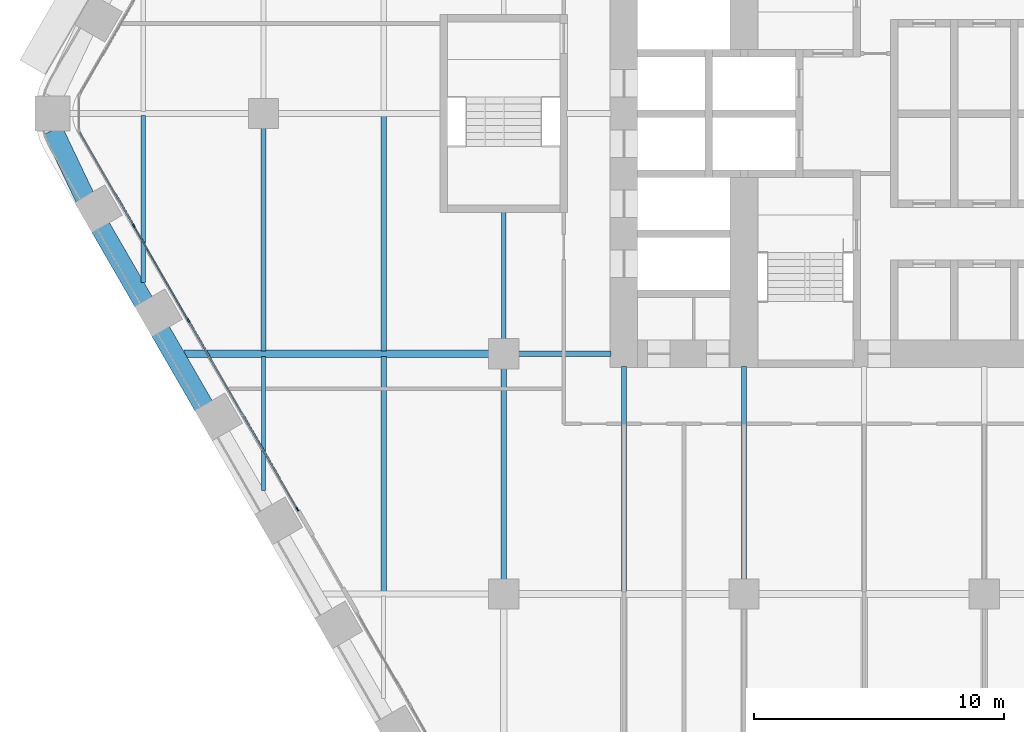
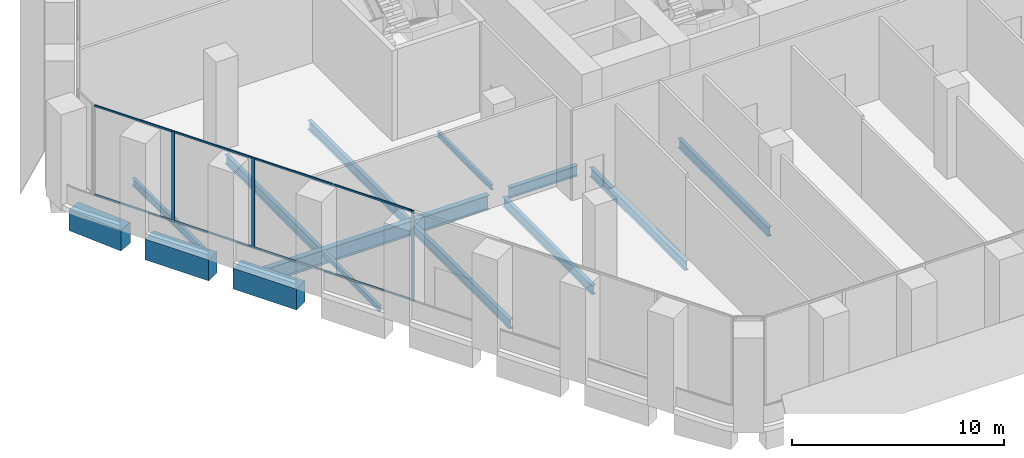
# One storey, part 3 of 27: 14 beams, 11 members, 1 element without a shape of its own.
"""IFC4 building model written with IfcOpenShell, lengths in metres."""

from ifc_helpers import new_model, si_unit, direction, frame, origin, origin_2d, place, context, subcontext, project, spatial, rectangle, i_section, extrude, material, material_profile, profile_set, type_object, element, aggregate, save


model = new_model("IFC4")

# Units and contexts
model_context = context("Model", 3, precision=1e-05, world=origin(), true_north=direction((0.0, 1.0)))
body_context = subcontext(model_context, "Body", "Model", "MODEL_VIEW")
ifc_project = project(units=[si_unit("LENGTHUNIT", "METRE"), si_unit("AREAUNIT", "SQUARE_METRE"), si_unit("VOLUMEUNIT", "CUBIC_METRE"), si_unit("PLANEANGLEUNIT", "RADIAN"), si_unit("MASSUNIT", "GRAM", prefix="KILO")], contexts=[model_context])

# Site, building, storey
site_placement = place(None, origin())
site = spatial("IfcSite", under=ifc_project, at=site_placement, CompositionType="ELEMENT")
building_placement = place(site_placement, origin())
building = spatial("IfcBuilding", under=site, at=building_placement, Name="Kolab Exchange Tower", CompositionType="ELEMENT")
storey_placement = place(building_placement, frame((0.0, 0.0, 66.39990234375)))
storey = spatial("IfcBuildingStorey", under=building, at=storey_placement, Name="L12", CompositionType="ELEMENT", Elevation=66.39990234375)

# Beams
ifc_material_1 = material(Name="Steel S355", Category="steel")
ifc_material_profile_1 = material_profile(ifc_material_1, i_section(OverallWidth=0.1650390625, OverallDepth=0.31005859375, WebThickness=0.005859375, FlangeThickness=0.009765625, at=origin_2d()), Name="W310X39")
ifc_profile_set_1 = profile_set([ifc_material_profile_1], Name="Steel S355")
beam_type_1 = type_object("IfcBeamType", Name="FLOOR BEAM W310X39", PredefinedType="BEAM", material=ifc_profile_set_1)
beam_1_placement = place(storey_placement, frame((-28.800048828125, -15.067626953125, -0.454833984375), z_axis=(0.0, 1.0, 0.0), x_axis=(-1.0, 0.0, 0.0)))
element("IfcBeam", 1, at=beam_1_placement, inside=storey, type_object=beam_type_1, Name="beam/L12/fr/002", PredefinedType="BEAM", context=body_context, shape_type="SweptSolid", body=[
    extrude(i_section(OverallWidth=0.1650390625, OverallDepth=0.31005859375, WebThickness=0.005859375, FlangeThickness=0.009765625, at=origin_2d()), origin(), (0.0, 0.0, 1.0), 5.361572265625),
])
beam_2_placement = place(storey_placement, frame((-19.199951171875, -9.0400390625, -0.454833984375), z_axis=(0.0, 1.0, 0.0), x_axis=(-1.0, 0.0, 0.0)))
element("IfcBeam", 2, at=beam_2_placement, inside=storey, type_object=beam_type_1, Name="beam/L12/fr/014", PredefinedType="BEAM", context=body_context, shape_type="SweptSolid", body=[
    extrude(i_section(OverallWidth=0.1650390625, OverallDepth=0.31005859375, WebThickness=0.005859375, FlangeThickness=0.009765625, at=origin_2d()), origin(), (0.0, 0.0, 1.0), 5.130126953125),
])
ifc_material_profile_2 = material_profile(ifc_material_1, i_section(OverallWidth=0.177978515625, OverallDepth=0.406982421875, WebThickness=0.0078125, FlangeThickness=0.0126953125, at=origin_2d()), Name="W410X60")
ifc_profile_set_2 = profile_set([ifc_material_profile_2], Name="Steel S355")
beam_type_2 = type_object("IfcBeamType", Name="FLOOR BEAM W410X60", PredefinedType="BEAM", material=ifc_profile_set_2)
beam_3_placement = place(storey_placement, frame((-33.60009765625, -6.75390625, -0.50341796875), z_axis=(0.0, 1.0, 0.0), x_axis=(-1.0, 0.0, 0.0)))
element("IfcBeam", 3, at=beam_3_placement, inside=storey, type_object=beam_type_2, Name="beam/L12/fr/000", PredefinedType="BEAM", context=body_context, shape_type="SweptSolid", body=[
    extrude(i_section(OverallWidth=0.177978515625, OverallDepth=0.406982421875, WebThickness=0.0078125, FlangeThickness=0.0126953125, at=origin_2d()), origin(), (0.0, 0.0, 1.0), 6.679931640625),
])
ifc_material_profile_3 = material_profile(ifc_material_1, i_section(OverallWidth=0.208984375, OverallDepth=0.532958984375, WebThickness=0.01025390625, FlangeThickness=0.015625, at=origin_2d()), Name="W530X92")
ifc_profile_set_3 = profile_set([ifc_material_profile_3], Name="Steel S355")
beam_type_3 = type_object("IfcBeamType", Name="FLOOR BEAM W530X92", PredefinedType="BEAM", material=ifc_profile_set_3)
beam_4_placement = place(storey_placement, frame((-28.800048828125, -9.493896484375, -0.56640625), z_axis=(0.0, 1.0, 0.0), x_axis=(-1.0, 0.0, 0.0)))
element("IfcBeam", 4, at=beam_4_placement, inside=storey, type_object=beam_type_3, Name="beam/L12/fr/003", PredefinedType="BEAM", context=body_context, shape_type="SweptSolid", body=[
    extrude(i_section(OverallWidth=0.208984375, OverallDepth=0.532958984375, WebThickness=0.01025390625, FlangeThickness=0.015625, at=origin_2d()), origin(), (0.0, 0.0, 1.0), 8.933837890625),
])
for number, where, z_axis, x_axis, name in (
    (5, (-24.0, -19.1259765625, -0.56640625), (0.0, 1.0, 0.0), (-1.0, 0.0, 0.0), "beam/L12/fr/007"),
    (6, (-24.0, -9.493896484375, -0.56640625), (0.0, 1.0, 0.0), (-1.0, 0.0, 0.0), "beam/L12/fr/008"),
):
    element("IfcBeam", number, at=place(storey_placement, frame(where, z_axis=z_axis, x_axis=x_axis)), inside=storey, type_object=beam_type_3, Name=name, PredefinedType="BEAM", context=body_context, shape_type="SweptSolid", body=[
        extrude(i_section(OverallWidth=0.208984375, OverallDepth=0.532958984375, WebThickness=0.01025390625, FlangeThickness=0.015625, at=origin_2d()), origin(), (0.0, 0.0, 1.0), 9.419921875),
    ])
beam_5_placement = place(storey_placement, frame((-19.199951171875, -18.639892578125, -0.56640625), z_axis=(0.0, 1.0, 0.0), x_axis=(-1.0, 0.0, 0.0)))
element("IfcBeam", 7, at=beam_5_placement, inside=storey, type_object=beam_type_3, Name="beam/L12/fr/013", PredefinedType="BEAM", context=body_context, shape_type="SweptSolid", body=[
    extrude(i_section(OverallWidth=0.208984375, OverallDepth=0.532958984375, WebThickness=0.01025390625, FlangeThickness=0.015625, at=origin_2d()), origin(), (0.0, 0.0, 1.0), 8.47998046875),
])
beam_6_placement = place(storey_placement, frame((-14.39990234375, -19.1064453125, -0.56640625), z_axis=(0.0, 1.0, 0.0), x_axis=(-1.0, 0.0, 0.0)))
element("IfcBeam", 8, at=beam_6_placement, inside=storey, type_object=beam_type_3, Name="beam/L12/fr/019", PredefinedType="BEAM", context=body_context, shape_type="SweptSolid", body=[
    extrude(i_section(OverallWidth=0.208984375, OverallDepth=0.532958984375, WebThickness=0.01025390625, FlangeThickness=0.015625, at=origin_2d()), origin(), (0.0, 0.0, 1.0), 8.996337890625),
])
beam_7_placement = place(storey_placement, frame((-9.60009765625, -18.639892578125, -0.56640625), z_axis=(0.0, 1.0, 0.0), x_axis=(-1.0, 0.0, 0.0)))
element("IfcBeam", 9, at=beam_7_placement, inside=storey, type_object=beam_type_3, Name="beam/L12/fr/023", PredefinedType="BEAM", context=body_context, shape_type="SweptSolid", body=[
    extrude(i_section(OverallWidth=0.208984375, OverallDepth=0.532958984375, WebThickness=0.01025390625, FlangeThickness=0.015625, at=origin_2d()), origin(), (0.0, 0.0, 1.0), 8.52978515625),
])
ifc_material_profile_4 = material_profile(ifc_material_1, i_section(OverallWidth=0.22802734375, OverallDepth=0.60791015625, WebThickness=0.01123046875, FlangeThickness=0.017333984375, at=origin_2d()), Name="W610X113")
ifc_profile_set_4 = profile_set([ifc_material_profile_4], Name="Steel S355")
beam_type_4 = type_object("IfcBeamType", Name="FLOOR GIRDER W610X113", PredefinedType="BEAM", material=ifc_profile_set_4)
beam_8_placement = place(storey_placement, frame((-18.639892578125, -9.60009765625, -0.60400390625), z_axis=(1.0, 0.0, 0.0), x_axis=(0.0, 1.0, 0.0)))
element("IfcBeam", 10, at=beam_8_placement, inside=storey, type_object=beam_type_4, Name="beam/L12/gd/007", PredefinedType="BEAM", context=body_context, shape_type="SweptSolid", body=[
    extrude(i_section(OverallWidth=0.22802734375, OverallDepth=0.60791015625, WebThickness=0.01123046875, FlangeThickness=0.017333984375, at=origin_2d()), origin(), (0.0, 0.0, 1.0), 3.72998046875),
])
ifc_material_profile_5 = material_profile(ifc_material_1, i_section(OverallWidth=0.2919921875, OverallDepth=0.840087890625, WebThickness=0.0146484375, FlangeThickness=0.021728515625, at=origin_2d()), Name="W840X193")
ifc_profile_set_5 = profile_set([ifc_material_profile_5], Name="Steel S355")
beam_type_5 = type_object("IfcBeamType", Name="FLOOR GIRDER W840X193", PredefinedType="BEAM", material=ifc_profile_set_5)
beam_9_placement = place(storey_placement, frame((-31.9736328125, -9.60009765625, -0.719970703125), z_axis=(1.0, 0.0, 0.0), x_axis=(0.0, 1.0, 0.0)))
element("IfcBeam", 11, at=beam_9_placement, inside=storey, type_object=beam_type_5, Name="beam/L12/gd/001", PredefinedType="BEAM", context=body_context, shape_type="SweptSolid", body=[
    extrude(i_section(OverallWidth=0.2919921875, OverallDepth=0.840087890625, WebThickness=0.0146484375, FlangeThickness=0.021728515625, at=origin_2d()), origin(), (0.0, 0.0, 1.0), 12.213623046875),
])
ifc_material_2 = material(Name="Concrete C80/95", Category="concrete")
ifc_material_profile_6 = material_profile(ifc_material_2, rectangle(XDim=0.800048828125, YDim=1.199951171875, at=origin_2d()), Name="RC800X1200")
ifc_profile_set_6 = profile_set([ifc_material_profile_6], Name="Concrete C80/95")
beam_type_6 = type_object("IfcBeamType", Name="SPANDREL BEAM 800X1200 C80/95", PredefinedType="BEAM", material=ifc_profile_set_6)
beam_10_placement = place(storey_placement, frame((-31.18359375, -11.69921875, -0.89990234375), z_axis=(-0.499979528911, 0.866037222451, 0.0), x_axis=(-0.866037222451, -0.499979528911, 0.0)))
element("IfcBeam", 12, at=beam_10_placement, inside=storey, type_object=beam_type_6, Name="beam/L12/sp/F5-06", PredefinedType="BEAM", context=body_context, shape_type="SweptSolid", body=[
    extrude(rectangle(XDim=0.800048828125, YDim=1.199951171875, at=origin_2d()), origin(), (0.0, 0.0, 1.0), 3.480224609375),
])
beam_11_placement = place(storey_placement, frame((-33.58349609375, -7.542236328125, -0.89990234375), z_axis=(-0.500009906705, 0.86601968407, 0.0), x_axis=(-0.86601968407, -0.500009906705, 0.0)))
element("IfcBeam", 13, at=beam_11_placement, inside=storey, type_object=beam_type_6, Name="beam/L12/sp/F5-07", PredefinedType="BEAM", context=body_context, shape_type="SweptSolid", body=[
    extrude(rectangle(XDim=0.800048828125, YDim=1.199951171875, at=origin_2d()), origin(), (0.0, 0.0, 1.0), 3.47998046875),
])
beam_12_placement = place(storey_placement, frame((-35.93798828125, -3.35888671875, -0.89990234375), z_axis=(-0.429555669245, 0.903040379507, 0.0), x_axis=(-0.903040379507, -0.429555669245, 0.0)))
element("IfcBeam", 14, at=beam_12_placement, inside=storey, type_object=beam_type_6, Name="beam/L12/sp/F5-08", PredefinedType="BEAM", context=body_context, shape_type="SweptSolid", body=[
    extrude(rectangle(XDim=0.800048828125, YDim=1.199951171875, at=origin_2d()), origin(), (0.0, 0.0, 1.0), 2.984375),
])

# Curtain wall, members
ifc_material_3 = material(Name="Aluminium EN AW-6063 T6", Category="aluminium")
curtain_wall_type = type_object("IfcCurtainWallType", Name="UNITISED LOW ZONE CURTAIN WALL", PredefinedType="NOTDEFINED", material=ifc_material_3)
curtain_wall_placement = place(storey_placement, origin())
curtain_wall = element("IfcCurtainWall", 15, at=curtain_wall_placement, inside=storey, type_object=curtain_wall_type, Name="cw/L12/F5-2", PredefinedType="NOTDEFINED")
ifc_material_profile_7 = material_profile(ifc_material_3, rectangle(XDim=0.06005859375, YDim=0.159912109375, at=origin_2d()), Name="RECT 60X160")
ifc_profile_set_7 = profile_set([ifc_material_profile_7], Name="Aluminium EN AW-6063 T6")
member_type_1 = type_object("IfcMemberType", Name="UNITISED LOW ZONE MULLION 60 X 160", PredefinedType="MULLION", material=ifc_profile_set_7)
member_1_placement = place(storey_placement, frame((-27.44677734375, -15.811767578125, 0.0), z_axis=(0.0, 0.0, 1.0), x_axis=(-0.866025422102, -0.499999968274, 0.0)))
member_1 = element("IfcMember", 16, at=member_1_placement, type_object=member_type_1, Name="CW1 mullion 1", PredefinedType="MULLION", context=body_context, shape_type="SweptSolid", body=[
    extrude(rectangle(XDim=0.06005859375, YDim=0.159912109375, at=origin_2d()), origin(), (0.0, 0.0, 1.0), 5.2001953125),
])
member_2_placement = place(storey_placement, frame((-31.798583984375, -8.27392578125, 0.0), z_axis=(0.0, 0.0, 1.0), x_axis=(-0.866025422102, -0.499999968274, 0.0)))
member_2 = element("IfcMember", 17, at=member_2_placement, type_object=member_type_1, Name="CW1 mullion 3", PredefinedType="MULLION", context=body_context, shape_type="SweptSolid", body=[
    extrude(rectangle(XDim=0.06005859375, YDim=0.159912109375, at=origin_2d()), origin(), (0.0, 0.0, 1.0), 5.2001953125),
])
member_3_placement = place(storey_placement, frame((-33.982177734375, -4.491943359375, 0.0), z_axis=(0.0, 0.0, 1.0), x_axis=(-0.866025422102, -0.499999968274, 0.0)))
member_3 = element("IfcMember", 18, at=member_3_placement, type_object=member_type_1, Name="CW1 mullion 4", PredefinedType="MULLION", context=body_context, shape_type="SweptSolid", body=[
    extrude(rectangle(XDim=0.06005859375, YDim=0.159912109375, at=origin_2d()), origin(), (0.0, 0.0, 1.0), 5.2001953125),
])
ifc_material_profile_8 = material_profile(ifc_material_3, rectangle(XDim=0.06005859375, YDim=0.10009765625, at=origin_2d()), Name="RECT 60X100")
ifc_profile_set_8 = profile_set([ifc_material_profile_8], Name="Aluminium EN AW-6063 T6")
member_type_2 = type_object("IfcMemberType", Name="UNITISED LOW ZONE TRANSOM 60 X 100", PredefinedType="USERDEFINED", material=ifc_profile_set_8)
member_4_placement = place(storey_placement, frame((-27.461669921875, -15.78564453125, 0.030029296875), z_axis=(-0.500000816281, 0.866024932504, 0.0), x_axis=(-0.866024932504, -0.500000816281, 0.0)))
member_4 = element("IfcMember", 19, at=member_4_placement, type_object=member_type_2, Name="CW1 transom 1.1", ObjectType="TRANSOM", PredefinedType="USERDEFINED", context=body_context, shape_type="SweptSolid", body=[
    extrude(rectangle(XDim=0.06005859375, YDim=0.10009765625, at=origin_2d()), origin(), (0.0, 0.0, 1.0), 4.27685546875),
])
member_5_placement = place(storey_placement, frame((-27.461669921875, -15.78564453125, 5.170166015625), z_axis=(-0.500000816281, 0.866024932504, 0.0), x_axis=(-0.866024932504, -0.500000816281, 0.0)))
member_5 = element("IfcMember", 20, at=member_5_placement, type_object=member_type_2, Name="CW1 transom 1.2", ObjectType="TRANSOM", PredefinedType="USERDEFINED", context=body_context, shape_type="SweptSolid", body=[
    extrude(rectangle(XDim=0.06005859375, YDim=0.10009765625, at=origin_2d()), origin(), (0.0, 0.0, 1.0), 4.27685546875),
])
member_6_placement = place(storey_placement, frame((-29.630126953125, -12.02978515625, 0.030029296875), z_axis=(-0.500010313095, 0.866019449435, 0.0), x_axis=(-0.866019449435, -0.500010313095, 0.0)))
member_6 = element("IfcMember", 21, at=member_6_placement, type_object=member_type_2, Name="CW1 transom 2.1", ObjectType="TRANSOM", PredefinedType="USERDEFINED", context=body_context, shape_type="SweptSolid", body=[
    extrude(rectangle(XDim=0.06005859375, YDim=0.10009765625, at=origin_2d()), origin(), (0.0, 0.0, 1.0), 4.30712890625),
])
member_7_placement = place(storey_placement, frame((-29.630126953125, -12.02978515625, 5.170166015625), z_axis=(-0.500010313095, 0.866019449435, 0.0), x_axis=(-0.866019449435, -0.500010313095, 0.0)))
member_7 = element("IfcMember", 22, at=member_7_placement, type_object=member_type_2, Name="CW1 transom 2.2", ObjectType="TRANSOM", PredefinedType="USERDEFINED", context=body_context, shape_type="SweptSolid", body=[
    extrude(rectangle(XDim=0.06005859375, YDim=0.10009765625, at=origin_2d()), origin(), (0.0, 0.0, 1.0), 4.30712890625),
])
member_8_placement = place(storey_placement, frame((-31.813720703125, -8.247802734375, 0.030029296875), z_axis=(-0.499967798808, 0.866043994353, 0.0), x_axis=(-0.866043994353, -0.499967798808, 0.0)))
member_8 = element("IfcMember", 23, at=member_8_placement, type_object=member_type_2, Name="CW1 transom 3.1", ObjectType="TRANSOM", PredefinedType="USERDEFINED", context=body_context, shape_type="SweptSolid", body=[
    extrude(rectangle(XDim=0.06005859375, YDim=0.10009765625, at=origin_2d()), origin(), (0.0, 0.0, 1.0), 4.306884765625),
])
member_9_placement = place(storey_placement, frame((-31.813720703125, -8.247802734375, 5.170166015625), z_axis=(-0.499967798808, 0.866043994353, 0.0), x_axis=(-0.866043994353, -0.499967798808, 0.0)))
member_9 = element("IfcMember", 24, at=member_9_placement, type_object=member_type_2, Name="CW1 transom 3.2", ObjectType="TRANSOM", PredefinedType="USERDEFINED", context=body_context, shape_type="SweptSolid", body=[
    extrude(rectangle(XDim=0.06005859375, YDim=0.10009765625, at=origin_2d()), origin(), (0.0, 0.0, 1.0), 4.306884765625),
])
member_10_placement = place(storey_placement, frame((-33.9970703125, -4.4658203125, 0.030029296875), z_axis=(-0.500043627578, 0.866000213925, 0.0), x_axis=(-0.866000213925, -0.500043627578, 0.0)))
member_10 = element("IfcMember", 25, at=member_10_placement, type_object=member_type_2, Name="CW1 transom 4.1", ObjectType="TRANSOM", PredefinedType="USERDEFINED", context=body_context, shape_type="SweptSolid", body=[
    extrude(rectangle(XDim=0.06005859375, YDim=0.10009765625, at=origin_2d()), origin(), (0.0, 0.0, 1.0), 4.27685546875),
])
member_11_placement = place(storey_placement, frame((-33.9970703125, -4.4658203125, 5.170166015625), z_axis=(-0.500043627578, 0.866000213925, 0.0), x_axis=(-0.866000213925, -0.500043627578, 0.0)))
member_11 = element("IfcMember", 26, at=member_11_placement, type_object=member_type_2, Name="CW1 transom 4.2", ObjectType="TRANSOM", PredefinedType="USERDEFINED", context=body_context, shape_type="SweptSolid", body=[
    extrude(rectangle(XDim=0.06005859375, YDim=0.10009765625, at=origin_2d()), origin(), (0.0, 0.0, 1.0), 4.27685546875),
])
aggregate(curtain_wall, [member_1, member_2, member_3, member_4, member_5, member_6, member_7, member_8, member_9, member_10, member_11])

save(model, "model.ifc")
